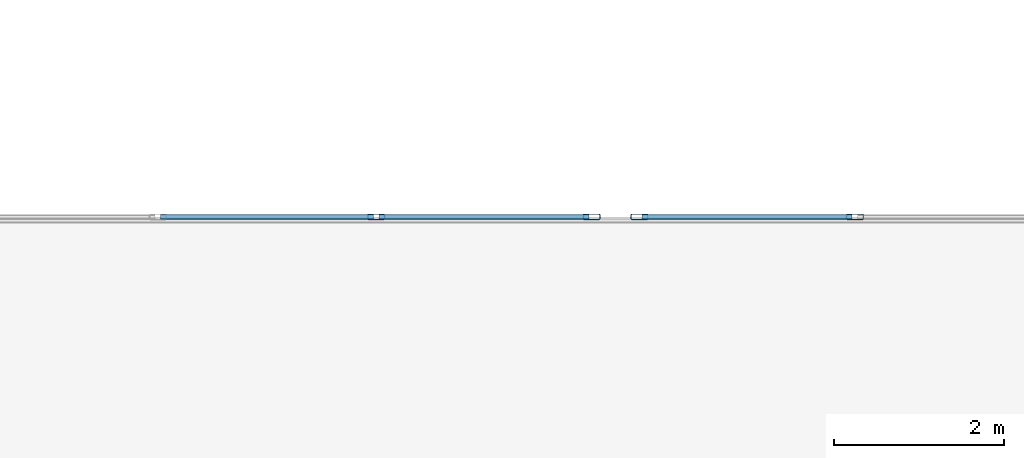
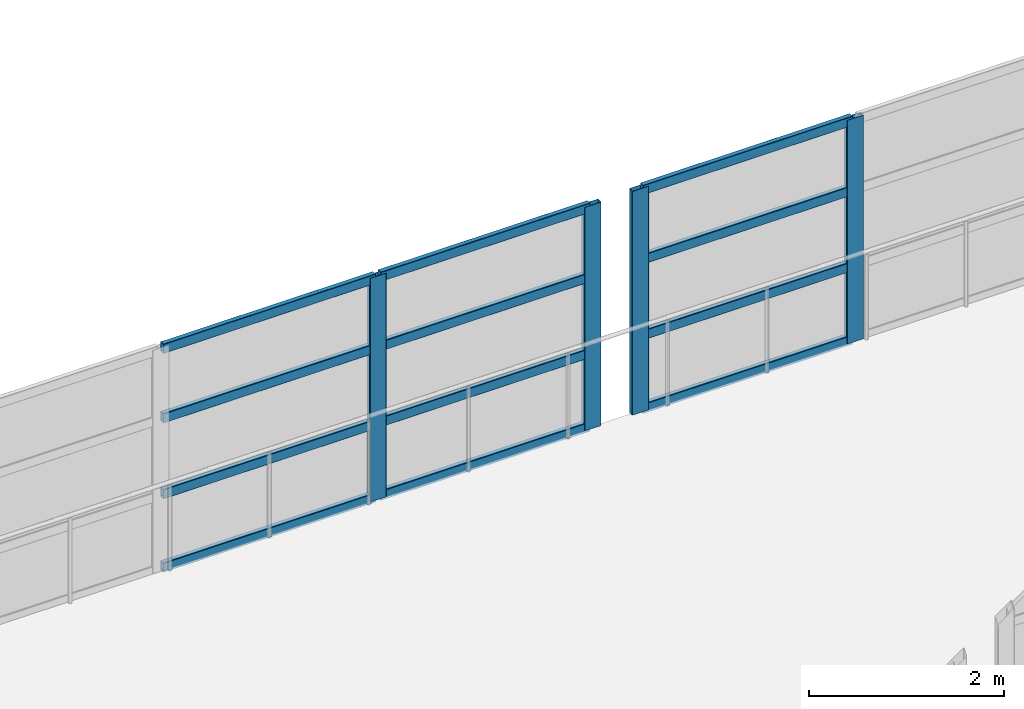
# One storey, part 39 of 132: 16 members, 2 elements without a shape of their own.
"""IFC4 building model written with IfcOpenShell, lengths in metres."""

from ifc_helpers import new_model, si_unit, direction, frame, origin, origin_2d, place, context, subcontext, project, spatial, hollow_rectangle, extrude, material, material_profile, profile_set, type_object, element, aggregate, save


model = new_model("IFC4")

# Units and contexts
model_context = context("Model", 3, precision=1e-05, world=origin(), true_north=direction((0.0, 1.0)))
body_context = subcontext(model_context, "Body", "Model", "MODEL_VIEW")
ifc_project = project(units=[si_unit("LENGTHUNIT", "METRE"), si_unit("AREAUNIT", "SQUARE_METRE"), si_unit("VOLUMEUNIT", "CUBIC_METRE"), si_unit("PLANEANGLEUNIT", "RADIAN"), si_unit("MASSUNIT", "GRAM", prefix="KILO")], contexts=[model_context])

# Site, building, storey
site_placement = place(None, origin())
site = spatial("IfcSite", under=ifc_project, at=site_placement, CompositionType="ELEMENT")
building_placement = place(site_placement, origin())
building = spatial("IfcBuilding", under=site, at=building_placement, Name="Qasida Concert Hall", CompositionType="ELEMENT")
storey_placement = place(building_placement, frame((0.0, 0.0, 4.800048828125)))
storey = spatial("IfcBuildingStorey", under=building, at=storey_placement, Name="L01", CompositionType="ELEMENT", Elevation=4.800048828125)

# Curtain wall, members
ifc_material_1 = material(Name="Architectural bronze-anodized aluminium and low-E glass", Category="aluminium")
curtain_wall_type = type_object("IfcCurtainWallType", Name="CW-07", PredefinedType="NOTDEFINED", material=ifc_material_1)
curtain_wall_1_placement = place(storey_placement, origin())
curtain_wall_1 = element("IfcCurtainWall", 1, at=curtain_wall_1_placement, inside=storey, type_object=curtain_wall_type, Name="L01 link bridge glazing 0235", PredefinedType="NOTDEFINED")
ifc_material_2 = material(Name="Architectural bronze-anodized aluminium EN AW-6063", Category="aluminium")
ifc_material_profile_1 = material_profile(ifc_material_2, hollow_rectangle(XDim=0.06494140625, YDim=0.199951171875, WallThickness=0.0048828125, InnerFilletRadius=0.0048828125, OuterFilletRadius=0.010009765625, at=origin_2d()), Name="CWM 200x65x5")
ifc_profile_set_1 = profile_set([ifc_material_profile_1], Name="Architectural bronze-anodized aluminium EN AW-6063")
member_type_1 = type_object("IfcMemberType", Name="MB-CWM-2", PredefinedType="MULLION", material=ifc_profile_set_1)
member_1_placement = place(storey_placement, frame((113.425048828125, 22.5, 0.0), z_axis=(0.0, 0.0, 1.0), x_axis=(0.0, 1.0, 0.0)))
member_1 = element("IfcMember", 2, at=member_1_placement, type_object=member_type_1, Name="CW-07 mullion 4", PredefinedType="MULLION", context=body_context, shape_type="SweptSolid", body=[
    extrude(hollow_rectangle(XDim=0.06494140625, YDim=0.199951171875, WallThickness=0.0048828125, InnerFilletRadius=0.0048828125, OuterFilletRadius=0.010009765625, at=origin_2d()), origin(), (0.0, 0.0, 1.0), 2.800048828125),
])
member_2_placement = place(storey_placement, frame((115.967529296875, 22.5, 0.0), z_axis=(0.0, 0.0, 1.0), x_axis=(0.0, 1.0, 0.0)))
member_2 = element("IfcMember", 3, at=member_2_placement, type_object=member_type_1, Name="CW-07 mullion 5", PredefinedType="MULLION", context=body_context, shape_type="SweptSolid", body=[
    extrude(hollow_rectangle(XDim=0.06494140625, YDim=0.199951171875, WallThickness=0.0048828125, InnerFilletRadius=0.0048828125, OuterFilletRadius=0.010009765625, at=origin_2d()), origin(), (0.0, 0.0, 1.0), 2.800048828125),
])

curtain_wall_2_placement = place(storey_placement, origin())
curtain_wall_2 = element("IfcCurtainWall", 4, at=curtain_wall_2_placement, inside=storey, type_object=curtain_wall_type, Name="L01 link bridge glazing 0237", PredefinedType="NOTDEFINED")
member_3_placement = place(storey_placement, frame((116.532470703125, 22.5, 0.0), z_axis=(0.0, 0.0, 1.0), x_axis=(0.0, 1.0, 0.0)))
member_3 = element("IfcMember", 5, at=member_3_placement, type_object=member_type_1, Name="CW-07 mullion 1", PredefinedType="MULLION", context=body_context, shape_type="SweptSolid", body=[
    extrude(hollow_rectangle(XDim=0.06494140625, YDim=0.199951171875, WallThickness=0.0048828125, InnerFilletRadius=0.0048828125, OuterFilletRadius=0.010009765625, at=origin_2d()), origin(), (0.0, 0.0, 1.0), 2.800048828125),
])
member_4_placement = place(storey_placement, frame((119.074951171875, 22.5, 0.0), z_axis=(0.0, 0.0, 1.0), x_axis=(0.0, 1.0, 0.0)))
member_4 = element("IfcMember", 6, at=member_4_placement, type_object=member_type_1, Name="CW-07 mullion 2", PredefinedType="MULLION", context=body_context, shape_type="SweptSolid", body=[
    extrude(hollow_rectangle(XDim=0.06494140625, YDim=0.199951171875, WallThickness=0.0048828125, InnerFilletRadius=0.0048828125, OuterFilletRadius=0.010009765625, at=origin_2d()), origin(), (0.0, 0.0, 1.0), 2.800048828125),
])

# Member
ifc_material_profile_2 = material_profile(ifc_material_2, hollow_rectangle(XDim=0.06005859375, YDim=0.1201171875, WallThickness=0.00390625, InnerFilletRadius=0.00390625, OuterFilletRadius=0.008056640625, at=origin_2d()), Name="CWT 120x60x4")
ifc_profile_set_2 = profile_set([ifc_material_profile_2], Name="Architectural bronze-anodized aluminium EN AW-6063")
member_type_2 = type_object("IfcMemberType", Name="MB-CWT-2", PredefinedType="USERDEFINED", material=ifc_profile_set_2)
member_5_placement = place(storey_placement, frame((110.882568359375, 22.5, 0.030029296875), z_axis=(1.0, 0.0, 0.0), x_axis=(0.0, 1.0, 0.0)))
member_5 = element("IfcMember", 7, at=member_5_placement, type_object=member_type_2, Name="CW-07 transom 3.1", ObjectType="TRANSOM", PredefinedType="USERDEFINED", context=body_context, shape_type="SweptSolid", body=[
    extrude(hollow_rectangle(XDim=0.06005859375, YDim=0.1201171875, WallThickness=0.00390625, InnerFilletRadius=0.00390625, OuterFilletRadius=0.008056640625, at=origin_2d()), origin(), (0.0, 0.0, 1.0), 2.510009765625),
])

member_6_placement = place(storey_placement, frame((110.882568359375, 22.5, 0.949951171875), z_axis=(1.0, 0.0, 0.0), x_axis=(0.0, 1.0, 0.0)))
member_6 = element("IfcMember", 8, at=member_6_placement, type_object=member_type_2, Name="CW-07 transom 3.2", ObjectType="TRANSOM", PredefinedType="USERDEFINED", context=body_context, shape_type="SweptSolid", body=[
    extrude(hollow_rectangle(XDim=0.06005859375, YDim=0.1201171875, WallThickness=0.00390625, InnerFilletRadius=0.00390625, OuterFilletRadius=0.008056640625, at=origin_2d()), origin(), (0.0, 0.0, 1.0), 2.510009765625),
])

member_7_placement = place(storey_placement, frame((110.882568359375, 22.5, 1.89990234375), z_axis=(1.0, 0.0, 0.0), x_axis=(0.0, 1.0, 0.0)))
member_7 = element("IfcMember", 9, at=member_7_placement, type_object=member_type_2, Name="CW-07 transom 3.3", ObjectType="TRANSOM", PredefinedType="USERDEFINED", context=body_context, shape_type="SweptSolid", body=[
    extrude(hollow_rectangle(XDim=0.06005859375, YDim=0.1201171875, WallThickness=0.00390625, InnerFilletRadius=0.00390625, OuterFilletRadius=0.008056640625, at=origin_2d()), origin(), (0.0, 0.0, 1.0), 2.510009765625),
])

member_8_placement = place(storey_placement, frame((110.882568359375, 22.5, 2.77001953125), z_axis=(1.0, 0.0, 0.0), x_axis=(0.0, 1.0, 0.0)))
member_8 = element("IfcMember", 10, at=member_8_placement, type_object=member_type_2, Name="CW-07 transom 3.4", ObjectType="TRANSOM", PredefinedType="USERDEFINED", context=body_context, shape_type="SweptSolid", body=[
    extrude(hollow_rectangle(XDim=0.06005859375, YDim=0.1201171875, WallThickness=0.00390625, InnerFilletRadius=0.00390625, OuterFilletRadius=0.008056640625, at=origin_2d()), origin(), (0.0, 0.0, 1.0), 2.510009765625),
])

member_9_placement = place(storey_placement, frame((113.45751953125, 22.5, 0.030029296875), z_axis=(1.0, 0.0, 0.0), x_axis=(0.0, 1.0, 0.0)))
member_9 = element("IfcMember", 11, at=member_9_placement, type_object=member_type_2, Name="CW-07 transom 4.1", ObjectType="TRANSOM", PredefinedType="USERDEFINED", context=body_context, shape_type="SweptSolid", body=[
    extrude(hollow_rectangle(XDim=0.06005859375, YDim=0.1201171875, WallThickness=0.00390625, InnerFilletRadius=0.00390625, OuterFilletRadius=0.008056640625, at=origin_2d()), origin(), (0.0, 0.0, 1.0), 2.4775390625),
])

member_10_placement = place(storey_placement, frame((113.45751953125, 22.5, 0.949951171875), z_axis=(1.0, 0.0, 0.0), x_axis=(0.0, 1.0, 0.0)))
member_10 = element("IfcMember", 12, at=member_10_placement, type_object=member_type_2, Name="CW-07 transom 4.2", ObjectType="TRANSOM", PredefinedType="USERDEFINED", context=body_context, shape_type="SweptSolid", body=[
    extrude(hollow_rectangle(XDim=0.06005859375, YDim=0.1201171875, WallThickness=0.00390625, InnerFilletRadius=0.00390625, OuterFilletRadius=0.008056640625, at=origin_2d()), origin(), (0.0, 0.0, 1.0), 2.4775390625),
])

member_11_placement = place(storey_placement, frame((113.45751953125, 22.5, 1.89990234375), z_axis=(1.0, 0.0, 0.0), x_axis=(0.0, 1.0, 0.0)))
member_11 = element("IfcMember", 13, at=member_11_placement, type_object=member_type_2, Name="CW-07 transom 4.3", ObjectType="TRANSOM", PredefinedType="USERDEFINED", context=body_context, shape_type="SweptSolid", body=[
    extrude(hollow_rectangle(XDim=0.06005859375, YDim=0.1201171875, WallThickness=0.00390625, InnerFilletRadius=0.00390625, OuterFilletRadius=0.008056640625, at=origin_2d()), origin(), (0.0, 0.0, 1.0), 2.4775390625),
])

member_12_placement = place(storey_placement, frame((113.45751953125, 22.5, 2.77001953125), z_axis=(1.0, 0.0, 0.0), x_axis=(0.0, 1.0, 0.0)))
member_12 = element("IfcMember", 14, at=member_12_placement, type_object=member_type_2, Name="CW-07 transom 4.4", ObjectType="TRANSOM", PredefinedType="USERDEFINED", context=body_context, shape_type="SweptSolid", body=[
    extrude(hollow_rectangle(XDim=0.06005859375, YDim=0.1201171875, WallThickness=0.00390625, InnerFilletRadius=0.00390625, OuterFilletRadius=0.008056640625, at=origin_2d()), origin(), (0.0, 0.0, 1.0), 2.4775390625),
])

aggregate(curtain_wall_1, [member_1, member_2, member_5, member_6, member_7, member_8, member_9, member_10, member_11, member_12])

member_13_placement = place(storey_placement, frame((116.56494140625, 22.5, 0.030029296875), z_axis=(1.0, 0.0, 0.0), x_axis=(0.0, 1.0, 0.0)))
member_13 = element("IfcMember", 15, at=member_13_placement, type_object=member_type_2, Name="CW-07 transom 1.1", ObjectType="TRANSOM", PredefinedType="USERDEFINED", context=body_context, shape_type="SweptSolid", body=[
    extrude(hollow_rectangle(XDim=0.06005859375, YDim=0.1201171875, WallThickness=0.00390625, InnerFilletRadius=0.00390625, OuterFilletRadius=0.008056640625, at=origin_2d()), origin(), (0.0, 0.0, 1.0), 2.4775390625),
])

member_14_placement = place(storey_placement, frame((116.56494140625, 22.5, 0.949951171875), z_axis=(1.0, 0.0, 0.0), x_axis=(0.0, 1.0, 0.0)))
member_14 = element("IfcMember", 16, at=member_14_placement, type_object=member_type_2, Name="CW-07 transom 1.2", ObjectType="TRANSOM", PredefinedType="USERDEFINED", context=body_context, shape_type="SweptSolid", body=[
    extrude(hollow_rectangle(XDim=0.06005859375, YDim=0.1201171875, WallThickness=0.00390625, InnerFilletRadius=0.00390625, OuterFilletRadius=0.008056640625, at=origin_2d()), origin(), (0.0, 0.0, 1.0), 2.4775390625),
])

member_15_placement = place(storey_placement, frame((116.56494140625, 22.5, 1.89990234375), z_axis=(1.0, 0.0, 0.0), x_axis=(0.0, 1.0, 0.0)))
member_15 = element("IfcMember", 17, at=member_15_placement, type_object=member_type_2, Name="CW-07 transom 1.3", ObjectType="TRANSOM", PredefinedType="USERDEFINED", context=body_context, shape_type="SweptSolid", body=[
    extrude(hollow_rectangle(XDim=0.06005859375, YDim=0.1201171875, WallThickness=0.00390625, InnerFilletRadius=0.00390625, OuterFilletRadius=0.008056640625, at=origin_2d()), origin(), (0.0, 0.0, 1.0), 2.4775390625),
])

member_16_placement = place(storey_placement, frame((116.56494140625, 22.5, 2.77001953125), z_axis=(1.0, 0.0, 0.0), x_axis=(0.0, 1.0, 0.0)))
member_16 = element("IfcMember", 18, at=member_16_placement, type_object=member_type_2, Name="CW-07 transom 1.4", ObjectType="TRANSOM", PredefinedType="USERDEFINED", context=body_context, shape_type="SweptSolid", body=[
    extrude(hollow_rectangle(XDim=0.06005859375, YDim=0.1201171875, WallThickness=0.00390625, InnerFilletRadius=0.00390625, OuterFilletRadius=0.008056640625, at=origin_2d()), origin(), (0.0, 0.0, 1.0), 2.4775390625),
])

aggregate(curtain_wall_2, [member_3, member_4, member_13, member_14, member_15, member_16])

save(model, "model.ifc")
